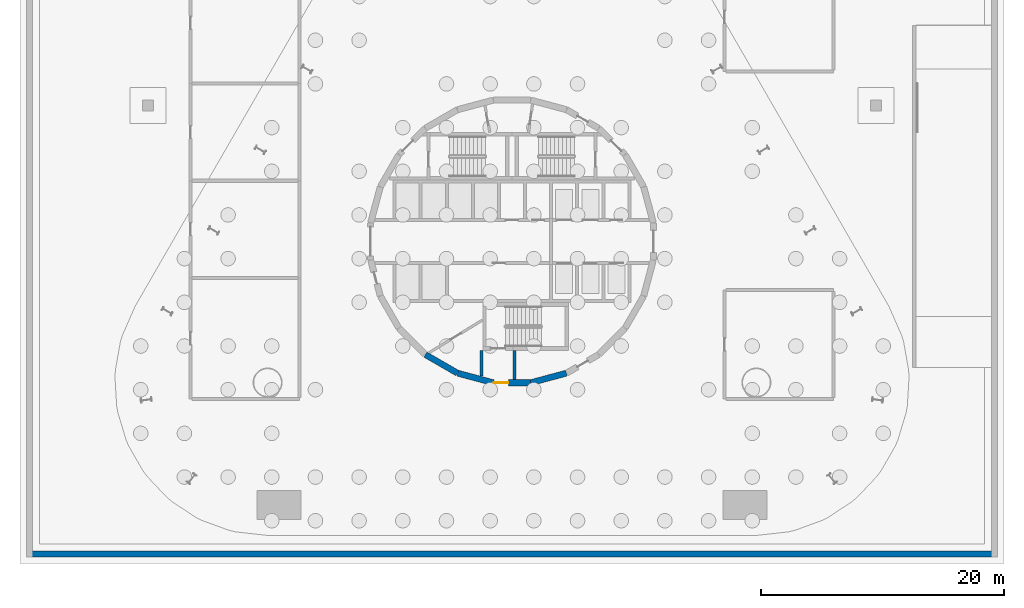
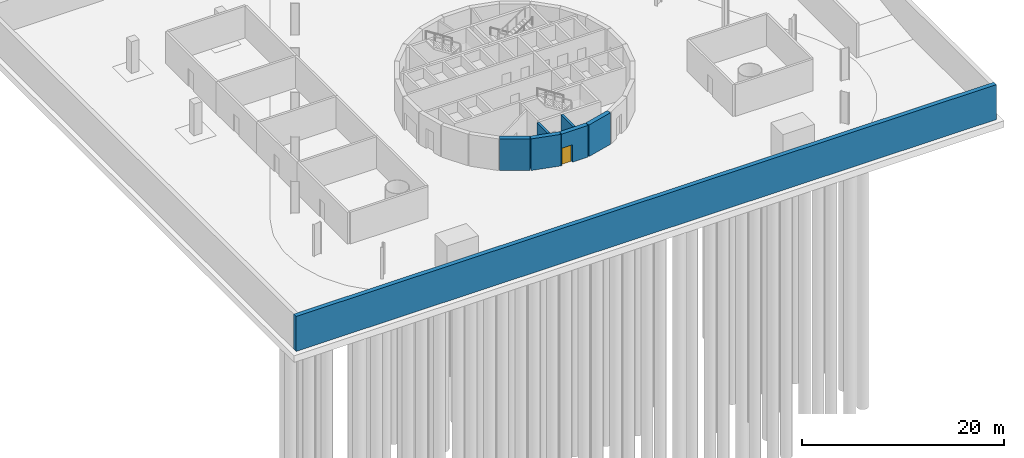
# One storey, part 6 of 11: 7 walls, 1 door, 1 opening.
"""IFC4 building model written with IfcOpenShell, lengths in metres."""

from ifc_helpers import new_model, si_unit, direction, frame, frame_2d, origin, place, context, subcontext, project, spatial, rectangle, extrude, material, layer, layer_set, type_object, element, fill, save


model = new_model("IFC4")

# Units and contexts
model_context = context("Model", 3, precision=1e-05, world=origin(), true_north=direction((0.0, 1.0)))
body_context = subcontext(model_context, "Body", "Model", "MODEL_VIEW")
ifc_project = project(units=[si_unit("LENGTHUNIT", "METRE"), si_unit("AREAUNIT", "SQUARE_METRE"), si_unit("VOLUMEUNIT", "CUBIC_METRE"), si_unit("PLANEANGLEUNIT", "RADIAN"), si_unit("MASSUNIT", "GRAM", prefix="KILO")], contexts=[model_context])

# Site, building, storey
site_placement = place(None, origin())
site = spatial("IfcSite", under=ifc_project, at=site_placement, CompositionType="ELEMENT")
building_placement = place(site_placement, origin())
building = spatial("IfcBuilding", under=site, at=building_placement, Name="Spindle Arch Residences", CompositionType="ELEMENT")
storey_placement = place(building_placement, frame((0.0, 0.0, -8.39990234375)))
storey = spatial("IfcBuildingStorey", under=building, at=storey_placement, Name="B2", CompositionType="ELEMENT", Elevation=-8.39990234375)

# Walls
ifc_material_1 = material(Name="Concrete C40/50", Category="concrete")
ifc_layer_1 = layer(ifc_material_1, 0.5)
ifc_layer_set_1 = layer_set([ifc_layer_1], Name="Basement retaining wall 500")
wall_type_1 = type_object("IfcWallType", Name="Basement retaining wall 500", PredefinedType="SOLIDWALL", material=ifc_layer_set_1)
wall_1_placement = place(storey_placement, frame((-40.0, -25.75, -0.400146484375), z_axis=(0.0, 0.0, 1.0), x_axis=(1.0, 0.0, 0.0)))
element("IfcWall", 1, at=wall_1_placement, inside=storey, type_object=wall_type_1, Name="Retaining wall 1", PredefinedType="SOLIDWALL", context=body_context, shape_type="SweptSolid", body=[
    extrude(rectangle(XDim=80.0, YDim=0.5, at=frame_2d((40.0, 0.0))), origin(), (0.0, 0.0, 1.0), 4.219970703125),
])
ifc_material_2 = material(Name="Concrete C50/60", Category="concrete")
ifc_layer_2 = layer(ifc_material_2, 0.5)
ifc_layer_set_2 = layer_set([ifc_layer_2], Name="Core outline wall 500")
wall_type_2 = type_object("IfcWallType", Name="Core outline wall 500", PredefinedType="SHEAR", material=ifc_layer_set_2)
for number, where, z_axis, x_axis, name in (
    (2, (1.5498046875, -11.642822265625, 0.0), (0.0, 0.0, 1.0), (0.965948410781, 0.258734743916, 0.0), "Core outline wall 1"),
    (3, (-7.13671875, -9.32861328125, 0.0), (0.0, 0.0, 1.0), (0.865975092491, -0.500087131594, 0.0), "Core outline wall 22"),
    (4, (-4.479248046875, -10.858154296875, 0.0), (0.0, 0.0, 1.0), (0.965948410781, -0.258734743916, 0.0), "Core outline wall 23"),
):
    element("IfcWall", number, at=place(storey_placement, frame(where, z_axis=z_axis, x_axis=x_axis)), inside=storey, type_object=wall_type_2, Name=name, PredefinedType="SHEAR", context=body_context, shape_type="SweptSolid", body=[
        extrude(rectangle(XDim=3.03271484375, YDim=0.5, at=frame_2d((1.516357421875, 0.0))), origin(), (0.0, 0.0, 1.0), 3.81982421875),
    ])

# Wall, opening, door
wall_2_placement = place(storey_placement, frame((-1.516357421875, -11.647216796875, 0.0), z_axis=(0.0, 0.0, 1.0), x_axis=(1.0, 0.0, 0.0)))
wall_2 = element("IfcWall", 5, at=wall_2_placement, inside=storey, type_object=wall_type_2, Name="Core outline wall 24", PredefinedType="SHEAR", context=body_context, shape_type="SweptSolid", body=[
    extrude(rectangle(XDim=3.03271484375, YDim=0.5, at=frame_2d((1.516357421875, 0.0))), origin(), (0.0, 0.0, 1.0), 3.81982421875),
])
opening_placement = place(wall_2_placement, frame((0.016357421875, 0.0, 0.0)))
opening = element("IfcOpeningElement", 6, at=opening_placement, cuts=wall_2, Name="Opening B2-AD03", PredefinedType="OPENING", context=body_context, shape_type="SweptSolid", body=[
    extrude(rectangle(XDim=1.199951171875, YDim=2.10009765625, at=frame_2d((0.60009765625, 1.050048828125))), frame((0.0, 0.260009765625, 0.0), z_axis=(0.0, -1.0, 0.0), x_axis=(1.0, 0.0, 0.0)), (0.0, 0.0, 1.0), 0.52001953125),
])
ifc_material_3 = material(Name="Steel, fire-resisting door", Category="steel")
door_type = type_object("IfcDoorType", Name="Stair airlock door 1200x2100", OperationType="SINGLE_SWING_LEFT", PredefinedType="DOOR", material=ifc_material_3)
door_placement = place(opening_placement, origin())
door = element("IfcDoor", 7, at=door_placement, inside=storey, type_object=door_type, Name="Stair airlock door B2-AD03", OperationType="SINGLE_SWING_RIGHT", OverallHeight=2.10009765625, OverallWidth=1.199951171875, PredefinedType="DOOR", context=body_context, shape_type="SweptSolid", body=[
    extrude(rectangle(XDim=1.199951171875, YDim=2.10009765625, at=frame_2d((0.60009765625, 1.050048828125))), frame((0.0, 0.02490234375, 0.0), z_axis=(0.0, -1.0, 0.0), x_axis=(1.0, 0.0, 0.0)), (0.0, 0.0, 1.0), 0.050048828125),
])
fill(opening, door)

# Walls
ifc_material_4 = material(Name="Concrete C40/50", Category="concrete")
ifc_layer_3 = layer(ifc_material_4, 0.25)
ifc_layer_set_3 = layer_set([ifc_layer_3], Name="Stair airlock wall 250")
wall_type_3 = type_object("IfcWallType", Name="Stair airlock wall 250", PredefinedType="SHEAR", material=ifc_layer_set_3)
wall_3_placement = place(storey_placement, frame((-2.52490234375, -8.969970703125, 0.0), z_axis=(0.0, 0.0, 1.0), x_axis=(0.0, -1.0, 0.0)))
element("IfcWall", 8, at=wall_3_placement, inside=storey, type_object=wall_type_3, Name="Stair ST-3 airlock wall W", PredefinedType="SHEAR", context=body_context, shape_type="SweptSolid", body=[
    extrude(rectangle(XDim=2.110107421875, YDim=0.25, at=frame_2d((1.05517578125, 0.0))), origin(), (0.0, 0.0, 1.0), 3.81982421875),
])
wall_4_placement = place(storey_placement, frame((0.22509765625, -8.969970703125, 0.0), z_axis=(0.0, 0.0, 1.0), x_axis=(0.0, -1.0, 0.0)))
element("IfcWall", 9, at=wall_4_placement, inside=storey, type_object=wall_type_3, Name="Stair ST-3 airlock wall E", PredefinedType="SHEAR", context=body_context, shape_type="SweptSolid", body=[
    extrude(rectangle(XDim=2.409912109375, YDim=0.25, at=frame_2d((1.205078125, 0.0))), origin(), (0.0, 0.0, 1.0), 3.81982421875),
])

save(model, "model.ifc")
